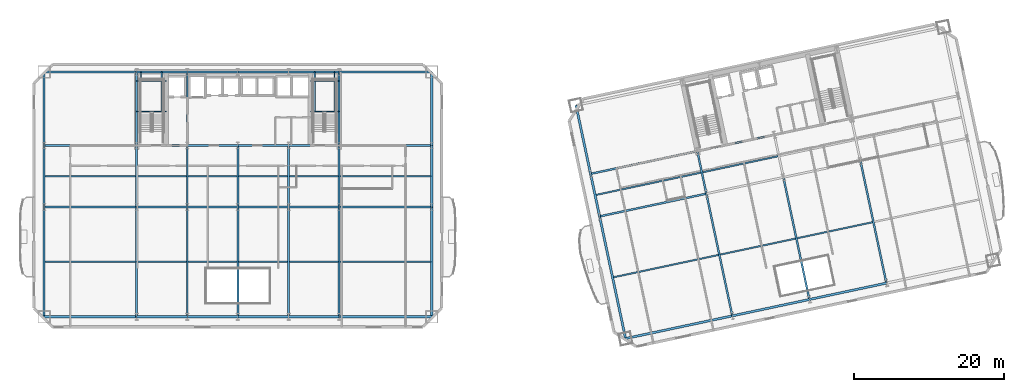
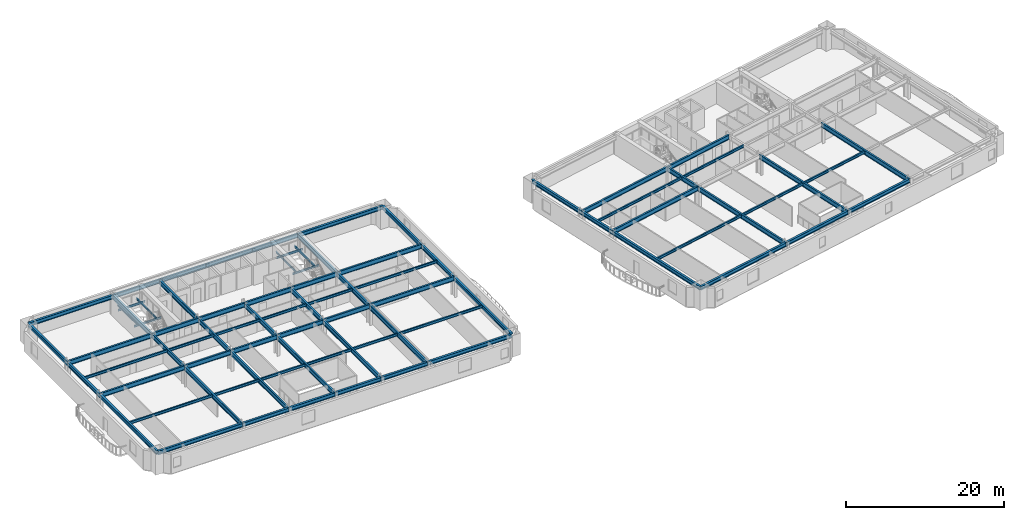
# One storey, part 3 of 16: 81 beams.
"""IFC4 building model written with IfcOpenShell, lengths in metres."""

from ifc_helpers import new_model, si_unit, direction, frame, origin, origin_2d, place, context, subcontext, project, spatial, i_section, extrude, material, material_profile, profile_set, type_object, element, save


model = new_model("IFC4")

# Units and contexts
model_context = context("Model", 3, precision=1e-05, world=origin(), true_north=direction((0.0, 1.0)))
body_context = subcontext(model_context, "Body", "Model", "MODEL_VIEW")
ifc_project = project(units=[si_unit("LENGTHUNIT", "METRE"), si_unit("AREAUNIT", "SQUARE_METRE"), si_unit("VOLUMEUNIT", "CUBIC_METRE"), si_unit("PLANEANGLEUNIT", "RADIAN"), si_unit("MASSUNIT", "GRAM", prefix="KILO")], contexts=[model_context])

# Site, building, storey
site_placement = place(None, origin())
site = spatial("IfcSite", under=ifc_project, at=site_placement, CompositionType="ELEMENT")
building_placement = place(site_placement, origin())
building = spatial("IfcBuilding", under=site, at=building_placement, Name="Haevon Station Towers", CompositionType="ELEMENT")
storey_placement = place(building_placement, frame((0.0, 0.0, 43.800048828125)))
storey = spatial("IfcBuildingStorey", under=building, at=storey_placement, Name="L10", CompositionType="ELEMENT", Elevation=43.800048828125)

# Beams
ifc_material = material(Name="Steel S355", Category="steel")
ifc_material_profile_1 = material_profile(ifc_material, i_section(OverallWidth=0.25, OverallDepth=0.699951171875, WebThickness=0.012939453125, FlangeThickness=0.02392578125, at=origin_2d()), Name="H-700x250x13x24")
ifc_profile_set_1 = profile_set([ifc_material_profile_1], Name="Steel S355")
beam_type_1 = type_object("IfcBeamType", Name="BM-G700", PredefinedType="BEAM", material=ifc_profile_set_1)
beam_1_placement = place(storey_placement, frame((11.64990234375, 30.0, 2.699951171875), z_axis=(1.0, 0.0, 0.0), x_axis=(0.0, 1.0, 0.0)))
element("IfcBeam", 1, at=beam_1_placement, inside=storey, type_object=beam_type_1, Name="BM-T1U-L10-02-01", PredefinedType="BEAM", context=body_context, shape_type="SweptSolid", body=[
    extrude(i_section(OverallWidth=0.25, OverallDepth=0.699951171875, WebThickness=0.012939453125, FlangeThickness=0.02392578125, at=origin_2d()), origin(), (0.0, 0.0, 1.0), 12.35009765625),
])
for number, where, z_axis, x_axis, name in (
    (2, (24.0, 30.0, 2.699951171875), (1.0, 0.0, 0.0), (0.0, 1.0, 0.0), "BM-T1U-L10-02-02"),
    (3, (30.75, 30.0, 2.699951171875), (1.0, 0.0, 0.0), (0.0, 1.0, 0.0), "BM-T1U-L10-02-03"),
    (4, (37.5, 30.0, 2.699951171875), (1.0, 0.0, 0.0), (0.0, 1.0, 0.0), "BM-T1U-L10-02-04"),
    (5, (44.25, 30.0, 2.699951171875), (1.0, 0.0, 0.0), (0.0, 1.0, 0.0), "BM-T1U-L10-02-05"),
):
    element("IfcBeam", number, at=place(storey_placement, frame(where, z_axis=z_axis, x_axis=x_axis)), inside=storey, type_object=beam_type_1, Name=name, PredefinedType="BEAM", context=body_context, shape_type="SweptSolid", body=[
        extrude(i_section(OverallWidth=0.25, OverallDepth=0.699951171875, WebThickness=0.012939453125, FlangeThickness=0.02392578125, at=origin_2d()), origin(), (0.0, 0.0, 1.0), 6.75),
    ])
for number, where, z_axis, x_axis, name in (
    (6, (51.0, 30.0, 2.699951171875), (1.0, 0.0, 0.0), (0.0, 1.0, 0.0), "BM-T1U-L10-02-06"),
    (7, (11.64990234375, 38.199951171875, 2.699951171875), (1.0, 0.0, 0.0), (0.0, 1.0, 0.0), "BM-T1U-L10-03-01"),
):
    element("IfcBeam", number, at=place(storey_placement, frame(where, z_axis=z_axis, x_axis=x_axis)), inside=storey, type_object=beam_type_1, Name=name, PredefinedType="BEAM", context=body_context, shape_type="SweptSolid", body=[
        extrude(i_section(OverallWidth=0.25, OverallDepth=0.699951171875, WebThickness=0.012939453125, FlangeThickness=0.02392578125, at=origin_2d()), origin(), (0.0, 0.0, 1.0), 12.35009765625),
    ])
for number, where, z_axis, x_axis, name in (
    (8, (24.0, 38.199951171875, 2.699951171875), (1.0, 0.0, 0.0), (0.0, 1.0, 0.0), "BM-T1U-L10-03-02"),
    (9, (30.75, 38.199951171875, 2.699951171875), (1.0, 0.0, 0.0), (0.0, 1.0, 0.0), "BM-T1U-L10-03-03"),
    (10, (37.5, 38.199951171875, 2.699951171875), (1.0, 0.0, 0.0), (0.0, 1.0, 0.0), "BM-T1U-L10-03-04"),
    (11, (44.25, 38.199951171875, 2.699951171875), (1.0, 0.0, 0.0), (0.0, 1.0, 0.0), "BM-T1U-L10-03-05"),
):
    element("IfcBeam", number, at=place(storey_placement, frame(where, z_axis=z_axis, x_axis=x_axis)), inside=storey, type_object=beam_type_1, Name=name, PredefinedType="BEAM", context=body_context, shape_type="SweptSolid", body=[
        extrude(i_section(OverallWidth=0.25, OverallDepth=0.699951171875, WebThickness=0.012939453125, FlangeThickness=0.02392578125, at=origin_2d()), origin(), (0.0, 0.0, 1.0), 6.75),
    ])
beam_2_placement = place(storey_placement, frame((51.0, 38.199951171875, 2.699951171875), z_axis=(1.0, 0.0, 0.0), x_axis=(0.0, 1.0, 0.0)))
element("IfcBeam", 12, at=beam_2_placement, inside=storey, type_object=beam_type_1, Name="BM-T1U-L10-03-06", PredefinedType="BEAM", context=body_context, shape_type="SweptSolid", body=[
    extrude(i_section(OverallWidth=0.25, OverallDepth=0.699951171875, WebThickness=0.012939453125, FlangeThickness=0.02392578125, at=origin_2d()), origin(), (0.0, 0.0, 1.0), 12.35009765625),
])
beam_3_placement = place(storey_placement, frame((24.0, 15.35009765625, 2.699951171875), z_axis=(0.0, 1.0, 0.0), x_axis=(-1.0, 0.0, 0.0)))
element("IfcBeam", 13, at=beam_3_placement, inside=storey, type_object=beam_type_1, Name="BM-T1V-L10-02-01", PredefinedType="BEAM", context=body_context, shape_type="SweptSolid", body=[
    extrude(i_section(OverallWidth=0.25, OverallDepth=0.699951171875, WebThickness=0.012939453125, FlangeThickness=0.02392578125, at=origin_2d()), origin(), (0.0, 0.0, 1.0), 14.64990234375),
])
beam_4_placement = place(storey_placement, frame((24.0, 30.0, 2.699951171875), z_axis=(0.0, 1.0, 0.0), x_axis=(-1.0, 0.0, 0.0)))
element("IfcBeam", 14, at=beam_4_placement, inside=storey, type_object=beam_type_1, Name="BM-T1V-L10-02-02", PredefinedType="BEAM", context=body_context, shape_type="SweptSolid", body=[
    extrude(i_section(OverallWidth=0.25, OverallDepth=0.699951171875, WebThickness=0.012939453125, FlangeThickness=0.02392578125, at=origin_2d()), origin(), (0.0, 0.0, 1.0), 8.199951171875),
])
beam_5_placement = place(storey_placement, frame((24.0, 38.199951171875, 2.699951171875), z_axis=(0.0, 1.0, 0.0), x_axis=(-1.0, 0.0, 0.0)))
element("IfcBeam", 15, at=beam_5_placement, inside=storey, type_object=beam_type_1, Name="BM-T1V-L10-02-03", PredefinedType="BEAM", context=body_context, shape_type="SweptSolid", body=[
    extrude(i_section(OverallWidth=0.25, OverallDepth=0.699951171875, WebThickness=0.012939453125, FlangeThickness=0.02392578125, at=origin_2d()), origin(), (0.0, 0.0, 1.0), 9.800048828125),
])
beam_6_placement = place(storey_placement, frame((30.75, 15.35009765625, 2.699951171875), z_axis=(0.0, 1.0, 0.0), x_axis=(-1.0, 0.0, 0.0)))
element("IfcBeam", 16, at=beam_6_placement, inside=storey, type_object=beam_type_1, Name="BM-T1V-L10-03-01", PredefinedType="BEAM", context=body_context, shape_type="SweptSolid", body=[
    extrude(i_section(OverallWidth=0.25, OverallDepth=0.699951171875, WebThickness=0.012939453125, FlangeThickness=0.02392578125, at=origin_2d()), origin(), (0.0, 0.0, 1.0), 14.64990234375),
])
beam_7_placement = place(storey_placement, frame((30.75, 30.0, 2.699951171875), z_axis=(0.0, 1.0, 0.0), x_axis=(-1.0, 0.0, 0.0)))
element("IfcBeam", 17, at=beam_7_placement, inside=storey, type_object=beam_type_1, Name="BM-T1V-L10-03-02", PredefinedType="BEAM", context=body_context, shape_type="SweptSolid", body=[
    extrude(i_section(OverallWidth=0.25, OverallDepth=0.699951171875, WebThickness=0.012939453125, FlangeThickness=0.02392578125, at=origin_2d()), origin(), (0.0, 0.0, 1.0), 8.199951171875),
])
beam_8_placement = place(storey_placement, frame((30.75, 38.199951171875, 2.699951171875), z_axis=(0.0, 1.0, 0.0), x_axis=(-1.0, 0.0, 0.0)))
element("IfcBeam", 18, at=beam_8_placement, inside=storey, type_object=beam_type_1, Name="BM-T1V-L10-03-03", PredefinedType="BEAM", context=body_context, shape_type="SweptSolid", body=[
    extrude(i_section(OverallWidth=0.25, OverallDepth=0.699951171875, WebThickness=0.012939453125, FlangeThickness=0.02392578125, at=origin_2d()), origin(), (0.0, 0.0, 1.0), 9.800048828125),
])
beam_9_placement = place(storey_placement, frame((37.5, 15.35009765625, 2.699951171875), z_axis=(0.0, 1.0, 0.0), x_axis=(-1.0, 0.0, 0.0)))
element("IfcBeam", 19, at=beam_9_placement, inside=storey, type_object=beam_type_1, Name="BM-T1V-L10-04-01", PredefinedType="BEAM", context=body_context, shape_type="SweptSolid", body=[
    extrude(i_section(OverallWidth=0.25, OverallDepth=0.699951171875, WebThickness=0.012939453125, FlangeThickness=0.02392578125, at=origin_2d()), origin(), (0.0, 0.0, 1.0), 14.64990234375),
])
beam_10_placement = place(storey_placement, frame((37.5, 30.0, 2.699951171875), z_axis=(0.0, 1.0, 0.0), x_axis=(-1.0, 0.0, 0.0)))
element("IfcBeam", 20, at=beam_10_placement, inside=storey, type_object=beam_type_1, Name="BM-T1V-L10-04-02", PredefinedType="BEAM", context=body_context, shape_type="SweptSolid", body=[
    extrude(i_section(OverallWidth=0.25, OverallDepth=0.699951171875, WebThickness=0.012939453125, FlangeThickness=0.02392578125, at=origin_2d()), origin(), (0.0, 0.0, 1.0), 8.199951171875),
])
beam_11_placement = place(storey_placement, frame((44.25, 15.35009765625, 2.699951171875), z_axis=(0.0, 1.0, 0.0), x_axis=(-1.0, 0.0, 0.0)))
element("IfcBeam", 21, at=beam_11_placement, inside=storey, type_object=beam_type_1, Name="BM-T1V-L10-05-01", PredefinedType="BEAM", context=body_context, shape_type="SweptSolid", body=[
    extrude(i_section(OverallWidth=0.25, OverallDepth=0.699951171875, WebThickness=0.012939453125, FlangeThickness=0.02392578125, at=origin_2d()), origin(), (0.0, 0.0, 1.0), 14.64990234375),
])
beam_12_placement = place(storey_placement, frame((44.25, 30.0, 2.699951171875), z_axis=(0.0, 1.0, 0.0), x_axis=(-1.0, 0.0, 0.0)))
element("IfcBeam", 22, at=beam_12_placement, inside=storey, type_object=beam_type_1, Name="BM-T1V-L10-05-02", PredefinedType="BEAM", context=body_context, shape_type="SweptSolid", body=[
    extrude(i_section(OverallWidth=0.25, OverallDepth=0.699951171875, WebThickness=0.012939453125, FlangeThickness=0.02392578125, at=origin_2d()), origin(), (0.0, 0.0, 1.0), 8.199951171875),
])
beam_13_placement = place(storey_placement, frame((51.0, 15.35009765625, 2.699951171875), z_axis=(0.0, 1.0, 0.0), x_axis=(-1.0, 0.0, 0.0)))
element("IfcBeam", 23, at=beam_13_placement, inside=storey, type_object=beam_type_1, Name="BM-T1V-L10-06-01", PredefinedType="BEAM", context=body_context, shape_type="SweptSolid", body=[
    extrude(i_section(OverallWidth=0.25, OverallDepth=0.699951171875, WebThickness=0.012939453125, FlangeThickness=0.02392578125, at=origin_2d()), origin(), (0.0, 0.0, 1.0), 14.64990234375),
])
beam_14_placement = place(storey_placement, frame((51.0, 30.0, 2.699951171875), z_axis=(0.0, 1.0, 0.0), x_axis=(-1.0, 0.0, 0.0)))
element("IfcBeam", 24, at=beam_14_placement, inside=storey, type_object=beam_type_1, Name="BM-T1V-L10-06-02", PredefinedType="BEAM", context=body_context, shape_type="SweptSolid", body=[
    extrude(i_section(OverallWidth=0.25, OverallDepth=0.699951171875, WebThickness=0.012939453125, FlangeThickness=0.02392578125, at=origin_2d()), origin(), (0.0, 0.0, 1.0), 8.199951171875),
])
beam_15_placement = place(storey_placement, frame((51.0, 38.199951171875, 2.699951171875), z_axis=(0.0, 1.0, 0.0), x_axis=(-1.0, 0.0, 0.0)))
element("IfcBeam", 25, at=beam_15_placement, inside=storey, type_object=beam_type_1, Name="BM-T1V-L10-06-03", PredefinedType="BEAM", context=body_context, shape_type="SweptSolid", body=[
    extrude(i_section(OverallWidth=0.25, OverallDepth=0.699951171875, WebThickness=0.012939453125, FlangeThickness=0.02392578125, at=origin_2d()), origin(), (0.0, 0.0, 1.0), 9.800048828125),
])
for number, where, z_axis, x_axis, name in (
    (26, (85.72607421875, 28.744140625, 2.699951171875), (0.978150960994, 0.207895881409, 0.0), (-0.207895881409, 0.978150960994, 0.0), "BM-T2U-L10-02-01"),
    (27, (84.520263671875, 34.417236328125, 2.699951171875), (0.978147548738, 0.207911935439, 0.0), (-0.207911935439, 0.978147548738, 0.0), "BM-T2U-L10-03-01"),
):
    element("IfcBeam", number, at=place(storey_placement, frame(where, z_axis=z_axis, x_axis=x_axis)), inside=storey, type_object=beam_type_1, Name=name, PredefinedType="BEAM", context=body_context, shape_type="SweptSolid", body=[
        extrude(i_section(OverallWidth=0.25, OverallDepth=0.699951171875, WebThickness=0.012939453125, FlangeThickness=0.02392578125, at=origin_2d()), origin(), (0.0, 0.0, 1.0), 14.550048828125),
    ])
beam_16_placement = place(storey_placement, frame((98.75244140625, 37.4423828125, 2.699951171875), z_axis=(0.978146794194, 0.207915485254, 0.0), x_axis=(-0.207915485254, 0.978146794194, 0.0)))
element("IfcBeam", 28, at=beam_16_placement, inside=storey, type_object=beam_type_1, Name="BM-T2U-L10-03-02", PredefinedType="BEAM", context=body_context, shape_type="SweptSolid", body=[
    extrude(i_section(OverallWidth=0.25, OverallDepth=0.699951171875, WebThickness=0.012939453125, FlangeThickness=0.02392578125, at=origin_2d()), origin(), (0.0, 0.0, 1.0), 10.5),
])
beam_17_placement = place(storey_placement, frame((103.419921875, 15.48291015625, 2.699951171875), z_axis=(-0.20790856066, 0.978148266064, 0.0), x_axis=(-0.978148266064, -0.20790856066, 0.0)))
element("IfcBeam", 29, at=beam_17_placement, inside=storey, type_object=beam_type_1, Name="BM-T2V-L10-02-01", PredefinedType="BEAM", context=body_context, shape_type="SweptSolid", body=[
    extrude(i_section(OverallWidth=0.25, OverallDepth=0.699951171875, WebThickness=0.012939453125, FlangeThickness=0.02392578125, at=origin_2d()), origin(), (0.0, 0.0, 1.0), 16.64990234375),
])
beam_18_placement = place(storey_placement, frame((99.958251953125, 31.76904296875, 2.699951171875), z_axis=(-0.207896009217, 0.97815093383, 0.0), x_axis=(-0.97815093383, -0.207896009217, 0.0)))
element("IfcBeam", 30, at=beam_18_placement, inside=storey, type_object=beam_type_1, Name="BM-T2V-L10-02-02", PredefinedType="BEAM", context=body_context, shape_type="SweptSolid", body=[
    extrude(i_section(OverallWidth=0.25, OverallDepth=0.699951171875, WebThickness=0.012939453125, FlangeThickness=0.02392578125, at=origin_2d()), origin(), (0.0, 0.0, 1.0), 5.800048828125),
])
for number, where, z_axis, x_axis, name in (
    (31, (113.6904296875, 17.666015625, 2.699951171875), (-0.20790856066, 0.978148266064, 0.0), (-0.978148266064, -0.20790856066, 0.0), "BM-T2V-L10-03-01"),
    (32, (123.961181640625, 19.84912109375, 2.699951171875), (-0.207922589901, 0.978145283999, 0.0), (-0.978145283999, -0.207922589901, 0.0), "BM-T2V-L10-04-01"),
):
    element("IfcBeam", number, at=place(storey_placement, frame(where, z_axis=z_axis, x_axis=x_axis)), inside=storey, type_object=beam_type_1, Name=name, PredefinedType="BEAM", context=body_context, shape_type="SweptSolid", body=[
        extrude(i_section(OverallWidth=0.25, OverallDepth=0.699951171875, WebThickness=0.012939453125, FlangeThickness=0.02392578125, at=origin_2d()), origin(), (0.0, 0.0, 1.0), 16.64990234375),
    ])
ifc_material_profile_2 = material_profile(ifc_material, i_section(OverallWidth=0.199951171875, OverallDepth=0.39990234375, WebThickness=0.008056640625, FlangeThickness=0.012939453125, at=origin_2d()), Name="H-400x200x8x13")
ifc_profile_set_2 = profile_set([ifc_material_profile_2], Name="Steel S355")
beam_type_2 = type_object("IfcBeamType", Name="BM-J400", PredefinedType="JOIST", material=ifc_profile_set_2)
beam_19_placement = place(storey_placement, frame((11.760009765625, 22.675048828125, 2.849853515625), z_axis=(1.0, 0.0, 0.0), x_axis=(0.0, 1.0, 0.0)))
element("IfcBeam", 33, at=beam_19_placement, inside=storey, type_object=beam_type_2, Name="BM-T1J-L10-01-01", PredefinedType="JOIST", context=body_context, shape_type="SweptSolid", body=[
    extrude(i_section(OverallWidth=0.199951171875, OverallDepth=0.39990234375, WebThickness=0.008056640625, FlangeThickness=0.012939453125, at=origin_2d()), origin(), (0.0, 0.0, 1.0), 12.1298828125),
])
for number, where, z_axis, x_axis, name in (
    (34, (24.110107421875, 22.675048828125, 2.849853515625), (1.0, 0.0, 0.0), (0.0, 1.0, 0.0), "BM-T1J-L10-01-02"),
    (35, (30.860107421875, 22.675048828125, 2.849853515625), (1.0, 0.0, 0.0), (0.0, 1.0, 0.0), "BM-T1J-L10-01-03"),
    (36, (37.610107421875, 22.675048828125, 2.849853515625), (1.0, 0.0, 0.0), (0.0, 1.0, 0.0), "BM-T1J-L10-01-04"),
    (37, (44.360107421875, 22.675048828125, 2.849853515625), (1.0, 0.0, 0.0), (0.0, 1.0, 0.0), "BM-T1J-L10-01-05"),
):
    element("IfcBeam", number, at=place(storey_placement, frame(where, z_axis=z_axis, x_axis=x_axis)), inside=storey, type_object=beam_type_2, Name=name, PredefinedType="JOIST", context=body_context, shape_type="SweptSolid", body=[
        extrude(i_section(OverallWidth=0.199951171875, OverallDepth=0.39990234375, WebThickness=0.008056640625, FlangeThickness=0.012939453125, at=origin_2d()), origin(), (0.0, 0.0, 1.0), 6.52978515625),
    ])
for number, where, z_axis, x_axis, name in (
    (38, (51.110107421875, 22.675048828125, 2.849853515625), (1.0, 0.0, 0.0), (0.0, 1.0, 0.0), "BM-T1J-L10-01-06"),
    (39, (11.760009765625, 34.10009765625, 2.849853515625), (1.0, 0.0, 0.0), (0.0, 1.0, 0.0), "BM-T1J-L10-02-01"),
):
    element("IfcBeam", number, at=place(storey_placement, frame(where, z_axis=z_axis, x_axis=x_axis)), inside=storey, type_object=beam_type_2, Name=name, PredefinedType="JOIST", context=body_context, shape_type="SweptSolid", body=[
        extrude(i_section(OverallWidth=0.199951171875, OverallDepth=0.39990234375, WebThickness=0.008056640625, FlangeThickness=0.012939453125, at=origin_2d()), origin(), (0.0, 0.0, 1.0), 12.1298828125),
    ])
for number, where, z_axis, x_axis, name in (
    (40, (24.110107421875, 34.10009765625, 2.849853515625), (1.0, 0.0, 0.0), (0.0, 1.0, 0.0), "BM-T1J-L10-02-02"),
    (41, (30.860107421875, 34.10009765625, 2.849853515625), (1.0, 0.0, 0.0), (0.0, 1.0, 0.0), "BM-T1J-L10-02-03"),
    (42, (37.610107421875, 34.10009765625, 2.849853515625), (1.0, 0.0, 0.0), (0.0, 1.0, 0.0), "BM-T1J-L10-02-04"),
    (43, (44.360107421875, 34.10009765625, 2.849853515625), (1.0, 0.0, 0.0), (0.0, 1.0, 0.0), "BM-T1J-L10-02-05"),
):
    element("IfcBeam", number, at=place(storey_placement, frame(where, z_axis=z_axis, x_axis=x_axis)), inside=storey, type_object=beam_type_2, Name=name, PredefinedType="JOIST", context=body_context, shape_type="SweptSolid", body=[
        extrude(i_section(OverallWidth=0.199951171875, OverallDepth=0.39990234375, WebThickness=0.008056640625, FlangeThickness=0.012939453125, at=origin_2d()), origin(), (0.0, 0.0, 1.0), 6.52978515625),
    ])
beam_20_placement = place(storey_placement, frame((51.110107421875, 34.10009765625, 2.849853515625), z_axis=(1.0, 0.0, 0.0), x_axis=(0.0, 1.0, 0.0)))
element("IfcBeam", 44, at=beam_20_placement, inside=storey, type_object=beam_type_2, Name="BM-T1J-L10-02-06", PredefinedType="JOIST", context=body_context, shape_type="SweptSolid", body=[
    extrude(i_section(OverallWidth=0.199951171875, OverallDepth=0.39990234375, WebThickness=0.008056640625, FlangeThickness=0.012939453125, at=origin_2d()), origin(), (0.0, 0.0, 1.0), 12.1298828125),
])
beam_21_placement = place(storey_placement, frame((87.564697265625, 20.623779296875, 2.849853515625), z_axis=(0.978145902522, 0.207919680114, 0.0), x_axis=(-0.207919680114, 0.978145902522, 0.0)))
element("IfcBeam", 45, at=beam_21_placement, inside=storey, type_object=beam_type_2, Name="BM-T2J-L10-01-01", PredefinedType="JOIST", context=body_context, shape_type="SweptSolid", body=[
    extrude(i_section(OverallWidth=0.199951171875, OverallDepth=0.39990234375, WebThickness=0.008056640625, FlangeThickness=0.012939453125, at=origin_2d()), origin(), (0.0, 0.0, 1.0), 14.330078125),
])
for number, where, z_axis, x_axis, name in (
    (46, (101.796630859375, 23.64892578125, 2.849853515625), (0.978145509903, 0.207921527161, 0.0), (-0.207921527161, 0.978145509903, 0.0), "BM-T2J-L10-01-02"),
    (47, (112.067138671875, 25.83203125, 2.849853515625), (0.978150339653, 0.207898804801, 0.0), (-0.207898804801, 0.978150339653, 0.0), "BM-T2J-L10-01-03"),
):
    element("IfcBeam", number, at=place(storey_placement, frame(where, z_axis=z_axis, x_axis=x_axis)), inside=storey, type_object=beam_type_2, Name=name, PredefinedType="JOIST", context=body_context, shape_type="SweptSolid", body=[
        extrude(i_section(OverallWidth=0.199951171875, OverallDepth=0.39990234375, WebThickness=0.008056640625, FlangeThickness=0.012939453125, at=origin_2d()), origin(), (0.0, 0.0, 1.0), 10.280029296875),
    ])
beam_22_placement = place(storey_placement, frame((85.23095703125, 31.603515625, 2.849853515625), z_axis=(0.978145902522, 0.207919680114, 0.0), x_axis=(-0.207919680114, 0.978145902522, 0.0)))
element("IfcBeam", 48, at=beam_22_placement, inside=storey, type_object=beam_type_2, Name="BM-T2J-L10-02-01", PredefinedType="JOIST", context=body_context, shape_type="SweptSolid", body=[
    extrude(i_section(OverallWidth=0.199951171875, OverallDepth=0.39990234375, WebThickness=0.008056640625, FlangeThickness=0.012939453125, at=origin_2d()), origin(), (0.0, 0.0, 1.0), 14.330078125),
])
beam_23_placement = place(storey_placement, frame((99.462890625, 34.628662109375, 2.849853515625), z_axis=(0.978150339653, 0.207898804801, 0.0), x_axis=(-0.207898804801, 0.978150339653, 0.0)))
element("IfcBeam", 49, at=beam_23_placement, inside=storey, type_object=beam_type_2, Name="BM-T2J-L10-02-02", PredefinedType="JOIST", context=body_context, shape_type="SweptSolid", body=[
    extrude(i_section(OverallWidth=0.199951171875, OverallDepth=0.39990234375, WebThickness=0.008056640625, FlangeThickness=0.012939453125, at=origin_2d()), origin(), (0.0, 0.0, 1.0), 10.280029296875),
])
ifc_material_profile_3 = material_profile(ifc_material, i_section(OverallWidth=0.14990234375, OverallDepth=0.300048828125, WebThickness=0.006591796875, FlangeThickness=0.009033203125, at=origin_2d()), Name="H-300x150x6.5x9")
ifc_profile_set_3 = profile_set([ifc_material_profile_3], Name="Steel S355")
beam_type_3 = type_object("IfcBeamType", Name="BM-LIN300", PredefinedType="LINTEL", material=ifc_profile_set_3)
for number, where, z_axis, x_axis, name in (
    (50, (24.0, 42.743896484375, 1.300048828125), (1.0, 0.0, 0.0), (0.0, 1.0, 0.0), "BM-ST1L-L10-1-S"),
    (51, (24.0, 46.820068359375, 1.300048828125), (1.0, 0.0, 0.0), (0.0, 1.0, 0.0), "BM-ST1L-L10-1-N"),
):
    element("IfcBeam", number, at=place(storey_placement, frame(where, z_axis=z_axis, x_axis=x_axis)), inside=storey, type_object=beam_type_3, Name=name, PredefinedType="LINTEL", context=body_context, shape_type="SweptSolid", body=[
        extrude(i_section(OverallWidth=0.14990234375, OverallDepth=0.300048828125, WebThickness=0.006591796875, FlangeThickness=0.009033203125, at=origin_2d()), origin(), (0.0, 0.0, 1.0), 3.949951171875),
    ])
for number, where, z_axis, x_axis, name in (
    (52, (24.60009765625, 42.743896484375, 1.300048828125), (0.0, 1.0, 0.0), (-1.0, 0.0, 0.0), "BM-ST1L-L10-1-W"),
    (53, (27.35009765625, 42.743896484375, 1.300048828125), (0.0, 1.0, 0.0), (-1.0, 0.0, 0.0), "BM-ST1L-L10-1-E"),
):
    element("IfcBeam", number, at=place(storey_placement, frame(where, z_axis=z_axis, x_axis=x_axis)), inside=storey, type_object=beam_type_3, Name=name, PredefinedType="LINTEL", context=body_context, shape_type="SweptSolid", body=[
        extrude(i_section(OverallWidth=0.14990234375, OverallDepth=0.300048828125, WebThickness=0.006591796875, FlangeThickness=0.009033203125, at=origin_2d()), origin(), (0.0, 0.0, 1.0), 5.256103515625),
    ])
for number, where, z_axis, x_axis, name in (
    (54, (47.14990234375, 42.743896484375, 1.300048828125), (1.0, 0.0, 0.0), (0.0, 1.0, 0.0), "BM-ST2L-L10-1-S"),
    (55, (47.14990234375, 46.820068359375, 1.300048828125), (1.0, 0.0, 0.0), (0.0, 1.0, 0.0), "BM-ST2L-L10-1-N"),
):
    element("IfcBeam", number, at=place(storey_placement, frame(where, z_axis=z_axis, x_axis=x_axis)), inside=storey, type_object=beam_type_3, Name=name, PredefinedType="LINTEL", context=body_context, shape_type="SweptSolid", body=[
        extrude(i_section(OverallWidth=0.14990234375, OverallDepth=0.300048828125, WebThickness=0.006591796875, FlangeThickness=0.009033203125, at=origin_2d()), origin(), (0.0, 0.0, 1.0), 3.85009765625),
    ])
for number, where, z_axis, x_axis, name in (
    (56, (47.75, 42.743896484375, 1.300048828125), (0.0, 1.0, 0.0), (-1.0, 0.0, 0.0), "BM-ST2L-L10-1-W"),
    (57, (50.39990234375, 42.743896484375, 1.300048828125), (0.0, 1.0, 0.0), (-1.0, 0.0, 0.0), "BM-ST2L-L10-1-E"),
):
    element("IfcBeam", number, at=place(storey_placement, frame(where, z_axis=z_axis, x_axis=x_axis)), inside=storey, type_object=beam_type_3, Name=name, PredefinedType="LINTEL", context=body_context, shape_type="SweptSolid", body=[
        extrude(i_section(OverallWidth=0.14990234375, OverallDepth=0.300048828125, WebThickness=0.006591796875, FlangeThickness=0.009033203125, at=origin_2d()), origin(), (0.0, 0.0, 1.0), 5.256103515625),
    ])
ifc_material_profile_4 = material_profile(ifc_material, i_section(OverallWidth=0.300048828125, OverallDepth=0.587890625, WebThickness=0.011962890625, FlangeThickness=0.02001953125, at=origin_2d()), Name="H-588x300x12x20")
ifc_profile_set_4 = profile_set([ifc_material_profile_4], Name="Steel S355")
beam_type_4 = type_object("IfcBeamType", Name="BM-SP588", PredefinedType="SPANDREL", material=ifc_profile_set_4)
beam_24_placement = place(storey_placement, frame((11.64990234375, 15.35009765625, 2.755859375), z_axis=(1.0, 0.0, 0.0), x_axis=(0.0, 1.0, 0.0)))
element("IfcBeam", 58, at=beam_24_placement, inside=storey, type_object=beam_type_4, Name="BM-T1U-L10-01-01", PredefinedType="SPANDREL", context=body_context, shape_type="SweptSolid", body=[
    extrude(i_section(OverallWidth=0.300048828125, OverallDepth=0.587890625, WebThickness=0.011962890625, FlangeThickness=0.02001953125, at=origin_2d()), origin(), (0.0, 0.0, 1.0), 12.35009765625),
])
for number, where, z_axis, x_axis, name in (
    (59, (24.0, 15.35009765625, 2.755859375), (1.0, 0.0, 0.0), (0.0, 1.0, 0.0), "BM-T1U-L10-01-02"),
    (60, (30.75, 15.35009765625, 2.755859375), (1.0, 0.0, 0.0), (0.0, 1.0, 0.0), "BM-T1U-L10-01-03"),
    (61, (37.5, 15.35009765625, 2.755859375), (1.0, 0.0, 0.0), (0.0, 1.0, 0.0), "BM-T1U-L10-01-04"),
    (62, (44.25, 15.35009765625, 2.755859375), (1.0, 0.0, 0.0), (0.0, 1.0, 0.0), "BM-T1U-L10-01-05"),
):
    element("IfcBeam", number, at=place(storey_placement, frame(where, z_axis=z_axis, x_axis=x_axis)), inside=storey, type_object=beam_type_4, Name=name, PredefinedType="SPANDREL", context=body_context, shape_type="SweptSolid", body=[
        extrude(i_section(OverallWidth=0.300048828125, OverallDepth=0.587890625, WebThickness=0.011962890625, FlangeThickness=0.02001953125, at=origin_2d()), origin(), (0.0, 0.0, 1.0), 6.75),
    ])
for number, where, z_axis, x_axis, name in (
    (63, (51.0, 15.35009765625, 2.755859375), (1.0, 0.0, 0.0), (0.0, 1.0, 0.0), "BM-T1U-L10-01-06"),
    (64, (11.64990234375, 48.0, 2.755859375), (1.0, 0.0, 0.0), (0.0, 1.0, 0.0), "BM-T1U-L10-04-01"),
):
    element("IfcBeam", number, at=place(storey_placement, frame(where, z_axis=z_axis, x_axis=x_axis)), inside=storey, type_object=beam_type_4, Name=name, PredefinedType="SPANDREL", context=body_context, shape_type="SweptSolid", body=[
        extrude(i_section(OverallWidth=0.300048828125, OverallDepth=0.587890625, WebThickness=0.011962890625, FlangeThickness=0.02001953125, at=origin_2d()), origin(), (0.0, 0.0, 1.0), 12.35009765625),
    ])
for number, where, z_axis, x_axis, name in (
    (65, (24.0, 48.0, 2.755859375), (1.0, 0.0, 0.0), (0.0, 1.0, 0.0), "BM-T1U-L10-04-02"),
    (66, (30.75, 48.0, 2.755859375), (1.0, 0.0, 0.0), (0.0, 1.0, 0.0), "BM-T1U-L10-04-03"),
    (67, (37.5, 48.0, 2.755859375), (1.0, 0.0, 0.0), (0.0, 1.0, 0.0), "BM-T1U-L10-04-04"),
    (68, (44.25, 48.0, 2.755859375), (1.0, 0.0, 0.0), (0.0, 1.0, 0.0), "BM-T1U-L10-04-05"),
):
    element("IfcBeam", number, at=place(storey_placement, frame(where, z_axis=z_axis, x_axis=x_axis)), inside=storey, type_object=beam_type_4, Name=name, PredefinedType="SPANDREL", context=body_context, shape_type="SweptSolid", body=[
        extrude(i_section(OverallWidth=0.300048828125, OverallDepth=0.587890625, WebThickness=0.011962890625, FlangeThickness=0.02001953125, at=origin_2d()), origin(), (0.0, 0.0, 1.0), 6.75),
    ])
beam_25_placement = place(storey_placement, frame((51.0, 48.0, 2.755859375), z_axis=(1.0, 0.0, 0.0), x_axis=(0.0, 1.0, 0.0)))
element("IfcBeam", 69, at=beam_25_placement, inside=storey, type_object=beam_type_4, Name="BM-T1U-L10-04-06", PredefinedType="SPANDREL", context=body_context, shape_type="SweptSolid", body=[
    extrude(i_section(OverallWidth=0.300048828125, OverallDepth=0.587890625, WebThickness=0.011962890625, FlangeThickness=0.02001953125, at=origin_2d()), origin(), (0.0, 0.0, 1.0), 12.35009765625),
])
beam_26_placement = place(storey_placement, frame((11.64990234375, 15.35009765625, 2.755859375), z_axis=(0.0, 1.0, 0.0), x_axis=(-1.0, 0.0, 0.0)))
element("IfcBeam", 70, at=beam_26_placement, inside=storey, type_object=beam_type_4, Name="BM-T1V-L10-01-01", PredefinedType="SPANDREL", context=body_context, shape_type="SweptSolid", body=[
    extrude(i_section(OverallWidth=0.300048828125, OverallDepth=0.587890625, WebThickness=0.011962890625, FlangeThickness=0.02001953125, at=origin_2d()), origin(), (0.0, 0.0, 1.0), 14.64990234375),
])
beam_27_placement = place(storey_placement, frame((11.64990234375, 30.0, 2.755859375), z_axis=(0.0, 1.0, 0.0), x_axis=(-1.0, 0.0, 0.0)))
element("IfcBeam", 71, at=beam_27_placement, inside=storey, type_object=beam_type_4, Name="BM-T1V-L10-01-02", PredefinedType="SPANDREL", context=body_context, shape_type="SweptSolid", body=[
    extrude(i_section(OverallWidth=0.300048828125, OverallDepth=0.587890625, WebThickness=0.011962890625, FlangeThickness=0.02001953125, at=origin_2d()), origin(), (0.0, 0.0, 1.0), 8.199951171875),
])
beam_28_placement = place(storey_placement, frame((11.64990234375, 38.199951171875, 2.755859375), z_axis=(0.0, 1.0, 0.0), x_axis=(-1.0, 0.0, 0.0)))
element("IfcBeam", 72, at=beam_28_placement, inside=storey, type_object=beam_type_4, Name="BM-T1V-L10-01-03", PredefinedType="SPANDREL", context=body_context, shape_type="SweptSolid", body=[
    extrude(i_section(OverallWidth=0.300048828125, OverallDepth=0.587890625, WebThickness=0.011962890625, FlangeThickness=0.02001953125, at=origin_2d()), origin(), (0.0, 0.0, 1.0), 9.800048828125),
])
beam_29_placement = place(storey_placement, frame((63.35009765625, 15.35009765625, 2.755859375), z_axis=(0.0, 1.0, 0.0), x_axis=(-1.0, 0.0, 0.0)))
element("IfcBeam", 73, at=beam_29_placement, inside=storey, type_object=beam_type_4, Name="BM-T1V-L10-07-01", PredefinedType="SPANDREL", context=body_context, shape_type="SweptSolid", body=[
    extrude(i_section(OverallWidth=0.300048828125, OverallDepth=0.587890625, WebThickness=0.011962890625, FlangeThickness=0.02001953125, at=origin_2d()), origin(), (0.0, 0.0, 1.0), 14.64990234375),
])
beam_30_placement = place(storey_placement, frame((63.35009765625, 30.0, 2.755859375), z_axis=(0.0, 1.0, 0.0), x_axis=(-1.0, 0.0, 0.0)))
element("IfcBeam", 74, at=beam_30_placement, inside=storey, type_object=beam_type_4, Name="BM-T1V-L10-07-02", PredefinedType="SPANDREL", context=body_context, shape_type="SweptSolid", body=[
    extrude(i_section(OverallWidth=0.300048828125, OverallDepth=0.587890625, WebThickness=0.011962890625, FlangeThickness=0.02001953125, at=origin_2d()), origin(), (0.0, 0.0, 1.0), 8.199951171875),
])
beam_31_placement = place(storey_placement, frame((63.35009765625, 38.199951171875, 2.755859375), z_axis=(0.0, 1.0, 0.0), x_axis=(-1.0, 0.0, 0.0)))
element("IfcBeam", 75, at=beam_31_placement, inside=storey, type_object=beam_type_4, Name="BM-T1V-L10-07-03", PredefinedType="SPANDREL", context=body_context, shape_type="SweptSolid", body=[
    extrude(i_section(OverallWidth=0.300048828125, OverallDepth=0.587890625, WebThickness=0.011962890625, FlangeThickness=0.02001953125, at=origin_2d()), origin(), (0.0, 0.0, 1.0), 9.800048828125),
])
beam_32_placement = place(storey_placement, frame((89.18798828125, 12.457763671875, 2.755859375), z_axis=(0.978146823396, 0.207915347869, 0.0), x_axis=(-0.207915347869, 0.978146823396, 0.0)))
element("IfcBeam", 76, at=beam_32_placement, inside=storey, type_object=beam_type_4, Name="BM-T2U-L10-01-01", PredefinedType="SPANDREL", context=body_context, shape_type="SweptSolid", body=[
    extrude(i_section(OverallWidth=0.300048828125, OverallDepth=0.587890625, WebThickness=0.011962890625, FlangeThickness=0.02001953125, at=origin_2d()), origin(), (0.0, 0.0, 1.0), 14.5498046875),
])
beam_33_placement = place(storey_placement, frame((103.419921875, 15.48291015625, 2.755859375), z_axis=(0.978146794194, 0.207915485254, 0.0), x_axis=(-0.207915485254, 0.978146794194, 0.0)))
element("IfcBeam", 77, at=beam_33_placement, inside=storey, type_object=beam_type_4, Name="BM-T2U-L10-01-02", PredefinedType="SPANDREL", context=body_context, shape_type="SweptSolid", body=[
    extrude(i_section(OverallWidth=0.300048828125, OverallDepth=0.587890625, WebThickness=0.011962890625, FlangeThickness=0.02001953125, at=origin_2d()), origin(), (0.0, 0.0, 1.0), 10.5),
])
beam_34_placement = place(storey_placement, frame((113.6904296875, 17.666015625, 2.755859375), z_axis=(0.978147799298, 0.207910756646, 0.0), x_axis=(-0.207910756646, 0.978147799298, 0.0)))
element("IfcBeam", 78, at=beam_34_placement, inside=storey, type_object=beam_type_4, Name="BM-T2U-L10-01-03", PredefinedType="SPANDREL", context=body_context, shape_type="SweptSolid", body=[
    extrude(i_section(OverallWidth=0.300048828125, OverallDepth=0.587890625, WebThickness=0.011962890625, FlangeThickness=0.02001953125, at=origin_2d()), origin(), (0.0, 0.0, 1.0), 10.500244140625),
])
beam_35_placement = place(storey_placement, frame((89.18798828125, 12.457763671875, 2.755859375), z_axis=(-0.207919607786, 0.978145917897, 0.0), x_axis=(-0.978145917897, -0.207919607786, 0.0)))
element("IfcBeam", 79, at=beam_35_placement, inside=storey, type_object=beam_type_4, Name="BM-T2V-L10-01-01", PredefinedType="SPANDREL", context=body_context, shape_type="SweptSolid", body=[
    extrude(i_section(OverallWidth=0.300048828125, OverallDepth=0.587890625, WebThickness=0.011962890625, FlangeThickness=0.02001953125, at=origin_2d()), origin(), (0.0, 0.0, 1.0), 16.650146484375),
])
beam_36_placement = place(storey_placement, frame((85.72607421875, 28.744140625, 2.755859375), z_axis=(-0.207904569273, 0.978149114438, 0.0), x_axis=(-0.978149114438, -0.207904569273, 0.0)))
element("IfcBeam", 80, at=beam_36_placement, inside=storey, type_object=beam_type_4, Name="BM-T2V-L10-01-02", PredefinedType="SPANDREL", context=body_context, shape_type="SweptSolid", body=[
    extrude(i_section(OverallWidth=0.300048828125, OverallDepth=0.587890625, WebThickness=0.011962890625, FlangeThickness=0.02001953125, at=origin_2d()), origin(), (0.0, 0.0, 1.0), 5.7998046875),
])
beam_37_placement = place(storey_placement, frame((84.520263671875, 34.417236328125, 2.755859375), z_axis=(-0.207897167074, 0.978150687738, 0.0), x_axis=(-0.978150687738, -0.207897167074, 0.0)))
element("IfcBeam", 81, at=beam_37_placement, inside=storey, type_object=beam_type_4, Name="BM-T2V-L10-01-03", PredefinedType="SPANDREL", context=body_context, shape_type="SweptSolid", body=[
    extrude(i_section(OverallWidth=0.300048828125, OverallDepth=0.587890625, WebThickness=0.011962890625, FlangeThickness=0.02001953125, at=origin_2d()), origin(), (0.0, 0.0, 1.0), 9.35009765625),
])

save(model, "model.ifc")
